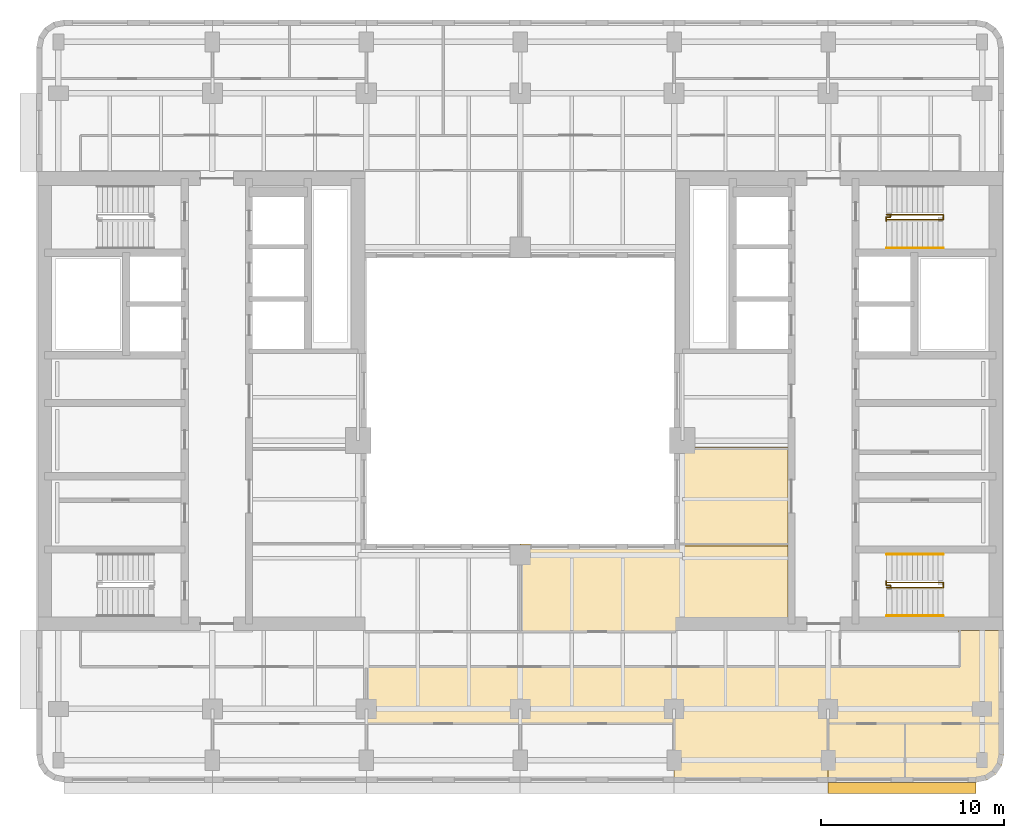
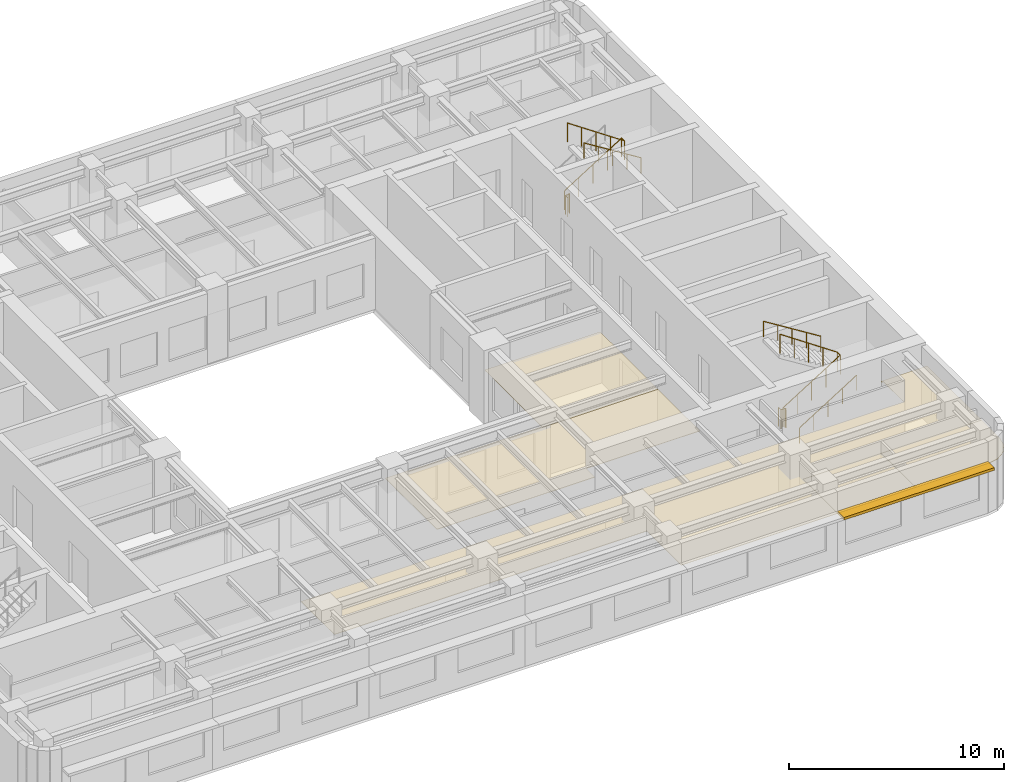
# One storey, part 10 of 11: 7 railings, 5 coverings, 1 shading device.
"""IFC4 building model written with IfcOpenShell, lengths in metres."""

from ifc_helpers import new_model, si_unit, direction, frame, origin, origin_2d, place, context, subcontext, project, spatial, polyline, rectangle, circle, outline, extrude, material, layer, layer_set, type_object, element, save


model = new_model("IFC4")

# Units and contexts
model_context = context("Model", 3, precision=1e-05, world=origin(), true_north=direction((0.0, 1.0)))
body_context = subcontext(model_context, "Body", "Model", "MODEL_VIEW")
ifc_project = project(units=[si_unit("LENGTHUNIT", "METRE"), si_unit("AREAUNIT", "SQUARE_METRE"), si_unit("VOLUMEUNIT", "CUBIC_METRE"), si_unit("PLANEANGLEUNIT", "RADIAN"), si_unit("MASSUNIT", "GRAM", prefix="KILO")], contexts=[model_context])

# Site, building, storey
site_placement = place(None, origin())
site = spatial("IfcSite", under=ifc_project, at=site_placement, CompositionType="ELEMENT")
building_placement = place(site_placement, origin())
building = spatial("IfcBuilding", under=site, at=building_placement, Name="Claustro Exchange Tower", CompositionType="ELEMENT")
storey_placement = place(building_placement, frame((0.0, 0.0, 211.199951171875)))
storey = spatial("IfcBuildingStorey", under=building, at=storey_placement, Name="L48", CompositionType="ELEMENT", Elevation=211.199951171875)

# Coverings
ifc_material_1 = material(Name="Gypsum board ceiling", Category="gypsum board")
ifc_layer_1 = layer(ifc_material_1, 0.02490234375)
ifc_layer_set_1 = layer_set([ifc_layer_1], Name="Gypsum board ceiling")
covering_type = type_object("IfcCoveringType", Name="CL2 plasterboard ceiling", PredefinedType="CEILING", material=ifc_layer_set_1)
covering_1_placement = place(storey_placement, frame((0.0, 0.0, 2.800048828125)))
element("IfcCovering", 1, at=covering_1_placement, inside=storey, type_object=covering_type, Name="Ceiling CL2 L48-04", PredefinedType="CEILING", context=body_context, shape_type="SweptSolid", body=[
    extrude(outline(polyline([(42.0, 4.39990234375), (46.199951171875, 4.39990234375), (46.199951171875, 7.60009765625), (42.0, 7.60009765625), (42.0, 4.39990234375)])), origin(), (0.0, 0.0, 1.0), 0.02490234375),
])
covering_2_placement = place(storey_placement, frame((0.0, 0.0, 2.800048828125)))
element("IfcCovering", 2, at=covering_2_placement, inside=storey, type_object=covering_type, Name="Ceiling CL2 L48-05", PredefinedType="CEILING", context=body_context, shape_type="SweptSolid", body=[
    extrude(outline(polyline([(51.60009765625, 5.89990234375), (51.60009765625, 7.60009765625), (46.199951171875, 7.60009765625), (46.199951171875, 4.39990234375), (50.10009765625, 4.39990234375), (50.674072265625, 4.51416015625), (51.16064453125, 4.83935546875), (51.48583984375, 5.325927734375), (51.60009765625, 5.89990234375)])), origin(), (0.0, 0.0, 1.0), 0.02490234375),
])
covering_3_placement = place(storey_placement, frame((0.0, 0.0, 2.800048828125)))
element("IfcCovering", 3, at=covering_3_placement, inside=storey, type_object=covering_type, Name="Ceiling CL2 L48-07", PredefinedType="CEILING", context=body_context, shape_type="SweptSolid", body=[
    extrude(outline(polyline([(51.60009765625, 7.60009765625), (51.60009765625, 12.695068359375), (51.52490234375, 12.695068359375), (51.52490234375, 12.675048828125), (49.10498046875, 12.675048828125), (49.10498046875, 12.60009765625), (49.199951171875, 12.60009765625), (49.199951171875, 10.699951171875), (16.800048828125, 10.699951171875), (16.800048828125, 7.60009765625), (33.60009765625, 7.60009765625), (33.60009765625, 4.39990234375), (42.0, 4.39990234375), (42.0, 7.60009765625), (51.60009765625, 7.60009765625)])), origin(), (0.0, 0.0, 1.0), 0.02490234375),
])
covering_4_placement = place(storey_placement, frame((0.0, 0.0, 2.800048828125)))
element("IfcCovering", 4, at=covering_4_placement, inside=storey, type_object=covering_type, Name="Ceiling CL2 L48-11", PredefinedType="CEILING", context=body_context, shape_type="SweptSolid", body=[
    extrude(outline(polyline([(39.800048828125, 13.405029296875), (39.800048828125, 17.4951171875), (33.60009765625, 17.4951171875), (33.60009765625, 17.39990234375), (25.199951171875, 17.39990234375), (25.199951171875, 12.60009765625), (33.695068359375, 12.60009765625), (33.695068359375, 13.405029296875), (39.800048828125, 13.405029296875)])), origin(), (0.0, 0.0, 1.0), 0.02490234375),
])
covering_5_placement = place(storey_placement, frame((0.0, 0.0, 2.800048828125)))
element("IfcCovering", 5, at=covering_5_placement, inside=storey, type_object=covering_type, Name="Ceiling CL2 L48-13", PredefinedType="CEILING", context=body_context, shape_type="SweptSolid", body=[
    extrude(outline(polyline([(33.60009765625, 22.695068359375), (33.60009765625, 17.304931640625), (39.800048828125, 17.304931640625), (39.800048828125, 22.695068359375), (33.60009765625, 22.695068359375)])), origin(), (0.0, 0.0, 1.0), 0.02490234375),
])

# Railings
ifc_material_2 = material(Name="Steel balustrade, painted", Category="steel")
railing_type_1 = type_object("IfcRailingType", Name="GR2 1100 steel stair guard", PredefinedType="GUARDRAIL", material=ifc_material_2)
railing_1_placement = place(storey_placement, frame((45.199951171875, 15.02490234375, 0.175048828125)))
element("IfcRailing", 6, at=railing_1_placement, inside=storey, type_object=railing_type_1, Name="Stair well guard GR2 stair STEA L48", PredefinedType="GUARDRAIL", context=body_context, shape_type="SweptSolid", body=[
    extrude(circle(Radius=0.02392578125, at=origin_2d()), frame((0.0, 0.0, 1.076171875), z_axis=(0.847998304005, 0.0, 0.529998940003), x_axis=(0.0, 1.0, 0.0)), (0.0, 0.0, 1.0), 3.632080078125),
    extrude(circle(Radius=0.02392578125, at=origin_2d()), frame((3.080078125, 0.0, 3.0009765625), z_axis=(0.0, 1.0, 0.0), x_axis=(-1.0, 0.0, 0.0)), (0.0, 0.0, 1.0), 0.275146484375),
    extrude(circle(Radius=0.02392578125, at=origin_2d()), frame((3.080078125, 0.275146484375, 3.0009765625), z_axis=(-0.826252282691, 0.0, 0.563300244406), x_axis=(0.0, -1.0, 0.0)), (0.0, 0.0, 1.0), 3.727783203125),
    extrude(circle(Radius=0.02099609375, at=origin_2d()), origin(), (0.0, 0.0, 1.0), 1.052001953125),
    extrude(circle(Radius=0.02099609375, at=origin_2d()), frame((0.77001953125, 0.0, 0.481201171875)), (0.0, 0.0, 1.0), 1.052001953125),
    extrude(circle(Radius=0.02099609375, at=origin_2d()), frame((1.5400390625, 0.0, 0.96240234375)), (0.0, 0.0, 1.0), 1.052001953125),
    extrude(circle(Radius=0.02099609375, at=origin_2d()), frame((2.31005859375, 0.0, 1.44384765625)), (0.0, 0.0, 1.0), 1.052001953125),
    extrude(circle(Radius=0.02099609375, at=origin_2d()), frame((3.080078125, 0.0, 1.925048828125)), (0.0, 0.0, 1.0), 1.052001953125),
    extrude(circle(Radius=0.02099609375, at=origin_2d()), frame((3.080078125, 0.275146484375, 1.925048828125)), (0.0, 0.0, 1.0), 1.052001953125),
    extrude(circle(Radius=0.02099609375, at=origin_2d()), frame((2.31005859375, 0.275146484375, 2.449951171875)), (0.0, 0.0, 1.0), 1.052001953125),
    extrude(circle(Radius=0.02099609375, at=origin_2d()), frame((1.5400390625, 0.275146484375, 2.97509765625)), (0.0, 0.0, 1.0), 1.052001953125),
    extrude(circle(Radius=0.02099609375, at=origin_2d()), frame((0.77001953125, 0.275146484375, 3.5)), (0.0, 0.0, 1.0), 1.052001953125),
    extrude(circle(Radius=0.02099609375, at=origin_2d()), frame((0.0, 0.275146484375, 4.02490234375)), (0.0, 0.0, 1.0), 1.052001953125),
])
railing_2_placement = place(storey_placement, frame((45.39990234375, 15.094970703125, 0.0)))
element("IfcRailing", 7, at=railing_2_placement, inside=storey, type_object=railing_type_1, Name="Stair guard GR2 STEA L48", PredefinedType="GUARDRAIL", context=body_context, shape_type="SweptSolid", body=[
    extrude(circle(Radius=0.02392578125, at=origin_2d()), frame((0.0, 0.0, 1.076171875), z_axis=(0.0, 1.0, 0.0), x_axis=(-1.0, 0.0, 0.0)), (0.0, 0.0, 1.0), 0.067626953125),
    extrude(circle(Radius=0.02392578125, at=origin_2d()), frame((0.0, 0.067626953125, 1.076171875), z_axis=(-1.0, 0.0, 0.0), x_axis=(0.0, -1.0, 0.0)), (0.0, 0.0, 1.0), 0.224853515625),
    extrude(circle(Radius=0.02392578125, at=origin_2d()), frame((-0.224853515625, 0.067626953125, 1.076171875), z_axis=(0.0, 1.0, 0.0), x_axis=(-1.0, 0.0, 0.0)), (0.0, 0.0, 1.0), 0.21728515625),
    extrude(circle(Radius=0.02099609375, at=origin_2d()), origin(), (0.0, 0.0, 1.0), 1.052001953125),
    extrude(circle(Radius=0.02099609375, at=origin_2d()), frame((0.0, 0.067626953125, 0.0)), (0.0, 0.0, 1.0), 1.052001953125),
    extrude(circle(Radius=0.02099609375, at=origin_2d()), frame((-0.224853515625, 0.067626953125, 0.0)), (0.0, 0.0, 1.0), 1.052001953125),
    extrude(circle(Radius=0.02099609375, at=origin_2d()), frame((-0.224853515625, 0.284912109375, 0.0)), (0.0, 0.0, 1.0), 1.052001953125),
])
railing_3_placement = place(storey_placement, frame((45.199951171875, 35.375, 0.175048828125)))
element("IfcRailing", 8, at=railing_3_placement, inside=storey, type_object=railing_type_1, Name="Stair well guard GR2 stair STEB L48", PredefinedType="GUARDRAIL", context=body_context, shape_type="SweptSolid", body=[
    extrude(circle(Radius=0.02392578125, at=origin_2d()), frame((0.0, 0.0, 1.076171875), z_axis=(0.847998304005, 0.0, 0.529998940003), x_axis=(0.0, 1.0, 0.0)), (0.0, 0.0, 1.0), 3.632080078125),
    extrude(circle(Radius=0.02392578125, at=origin_2d()), frame((3.080078125, 0.0, 3.0009765625), z_axis=(0.0, -1.0, 0.0), x_axis=(1.0, 0.0, 0.0)), (0.0, 0.0, 1.0), 0.27490234375),
    extrude(circle(Radius=0.02392578125, at=origin_2d()), frame((3.080078125, -0.27490234375, 3.0009765625), z_axis=(-0.826252282691, 0.0, 0.563300244406), x_axis=(0.0, -1.0, 0.0)), (0.0, 0.0, 1.0), 3.727783203125),
    extrude(circle(Radius=0.02099609375, at=origin_2d()), origin(), (0.0, 0.0, 1.0), 1.052001953125),
    extrude(circle(Radius=0.02099609375, at=origin_2d()), frame((0.77001953125, 0.0, 0.481201171875)), (0.0, 0.0, 1.0), 1.052001953125),
    extrude(circle(Radius=0.02099609375, at=origin_2d()), frame((1.5400390625, 0.0, 0.96240234375)), (0.0, 0.0, 1.0), 1.052001953125),
    extrude(circle(Radius=0.02099609375, at=origin_2d()), frame((2.31005859375, 0.0, 1.44384765625)), (0.0, 0.0, 1.0), 1.052001953125),
    extrude(circle(Radius=0.02099609375, at=origin_2d()), frame((3.080078125, 0.0, 1.925048828125)), (0.0, 0.0, 1.0), 1.052001953125),
    extrude(circle(Radius=0.02099609375, at=origin_2d()), frame((3.080078125, -0.27490234375, 1.925048828125)), (0.0, 0.0, 1.0), 1.052001953125),
    extrude(circle(Radius=0.02099609375, at=origin_2d()), frame((2.31005859375, -0.27490234375, 2.449951171875)), (0.0, 0.0, 1.0), 1.052001953125),
    extrude(circle(Radius=0.02099609375, at=origin_2d()), frame((1.5400390625, -0.27490234375, 2.97509765625)), (0.0, 0.0, 1.0), 1.052001953125),
    extrude(circle(Radius=0.02099609375, at=origin_2d()), frame((0.77001953125, -0.27490234375, 3.5)), (0.0, 0.0, 1.0), 1.052001953125),
    extrude(circle(Radius=0.02099609375, at=origin_2d()), frame((0.0, -0.27490234375, 4.02490234375)), (0.0, 0.0, 1.0), 1.052001953125),
])
railing_4_placement = place(storey_placement, frame((45.39990234375, 35.304931640625, 0.0)))
element("IfcRailing", 9, at=railing_4_placement, inside=storey, type_object=railing_type_1, Name="Stair guard GR2 STEB L48", PredefinedType="GUARDRAIL", context=body_context, shape_type="SweptSolid", body=[
    extrude(circle(Radius=0.02392578125, at=origin_2d()), frame((0.0, 0.0, 1.076171875), z_axis=(0.0, -1.0, 0.0), x_axis=(1.0, 0.0, 0.0)), (0.0, 0.0, 1.0), 0.0673828125),
    extrude(circle(Radius=0.02392578125, at=origin_2d()), frame((0.0, -0.0673828125, 1.076171875), z_axis=(-1.0, 0.0, 0.0), x_axis=(0.0, -1.0, 0.0)), (0.0, 0.0, 1.0), 0.224853515625),
    extrude(circle(Radius=0.02392578125, at=origin_2d()), frame((-0.224853515625, -0.0673828125, 1.076171875), z_axis=(0.0, -1.0, 0.0), x_axis=(1.0, 0.0, 0.0)), (0.0, 0.0, 1.0), 0.217529296875),
    extrude(circle(Radius=0.02099609375, at=origin_2d()), origin(), (0.0, 0.0, 1.0), 1.052001953125),
    extrude(circle(Radius=0.02099609375, at=origin_2d()), frame((0.0, -0.0673828125, 0.0)), (0.0, 0.0, 1.0), 1.052001953125),
    extrude(circle(Radius=0.02099609375, at=origin_2d()), frame((-0.224853515625, -0.0673828125, 0.0)), (0.0, 0.0, 1.0), 1.052001953125),
    extrude(circle(Radius=0.02099609375, at=origin_2d()), frame((-0.224853515625, -0.284912109375, 0.0)), (0.0, 0.0, 1.0), 1.052001953125),
])
ifc_material_3 = material(Name="Stainless steel tube", Category="steel")
railing_type_2 = type_object("IfcRailingType", Name="HR1 900 stair handrail", PredefinedType="HANDRAIL", material=ifc_material_3)
railing_5_placement = place(storey_placement, frame((45.199951171875, 13.485107421875, 0.175048828125)))
element("IfcRailing", 10, at=railing_5_placement, inside=storey, type_object=railing_type_2, Name="Handrail HR1 stair STEA L48", PredefinedType="HANDRAIL", context=body_context, shape_type="SweptSolid", body=[
    extrude(circle(Radius=0.02392578125, at=origin_2d()), frame((0.0, 0.0, 0.8759765625), z_axis=(0.847998304005, 0.0, 0.529998940003), x_axis=(0.0, 1.0, 0.0)), (0.0, 0.0, 1.0), 3.632080078125),
    extrude(circle(Radius=0.02099609375, at=origin_2d()), origin(), (0.0, 0.0, 1.0), 0.851806640625),
    extrude(circle(Radius=0.02099609375, at=origin_2d()), frame((0.77001953125, 0.0, 0.481201171875)), (0.0, 0.0, 1.0), 0.851806640625),
    extrude(circle(Radius=0.02099609375, at=origin_2d()), frame((1.5400390625, 0.0, 0.96240234375)), (0.0, 0.0, 1.0), 0.851806640625),
    extrude(circle(Radius=0.02099609375, at=origin_2d()), frame((2.31005859375, 0.0, 1.44384765625)), (0.0, 0.0, 1.0), 0.851806640625),
    extrude(circle(Radius=0.02099609375, at=origin_2d()), frame((3.080078125, 0.0, 1.925048828125)), (0.0, 0.0, 1.0), 0.851806640625),
])
for number, where, name in (
    (11, (48.280029296875, 16.840087890625, 2.275146484375), "Handrail HR1 stair STEA L48"),
    (12, (48.280029296875, 33.56005859375, 2.275146484375), "Handrail HR1 stair STEB L48"),
):
    element("IfcRailing", number, at=place(storey_placement, frame(where)), inside=storey, type_object=railing_type_2, Name=name, PredefinedType="HANDRAIL", context=body_context, shape_type="SweptSolid", body=[
        extrude(circle(Radius=0.02392578125, at=origin_2d()), frame((0.0, 0.0, 0.8759765625), z_axis=(-0.848028513186, 0.0, 0.529950602248), x_axis=(0.0, -1.0, 0.0)), (0.0, 0.0, 1.0), 3.632080078125),
        extrude(circle(Radius=0.02099609375, at=origin_2d()), origin(), (0.0, 0.0, 1.0), 0.851806640625),
        extrude(circle(Radius=0.02099609375, at=origin_2d()), frame((-0.77001953125, 0.0, 0.481201171875)), (0.0, 0.0, 1.0), 0.851806640625),
        extrude(circle(Radius=0.02099609375, at=origin_2d()), frame((-1.5400390625, 0.0, 0.96240234375)), (0.0, 0.0, 1.0), 0.851806640625),
        extrude(circle(Radius=0.02099609375, at=origin_2d()), frame((-2.31005859375, 0.0, 1.443603515625)), (0.0, 0.0, 1.0), 0.851806640625),
        extrude(circle(Radius=0.02099609375, at=origin_2d()), frame((-3.080078125, 0.0, 1.9248046875)), (0.0, 0.0, 1.0), 0.851806640625),
    ])

# Shading device
ifc_material_4 = material(Name="Concrete HA-40 (C40/50), precast, white cement, acid-etched", Category="concrete")
ifc_layer_2 = layer(ifc_material_4, 0.14990234375)
ifc_layer_set_2 = layer_set([ifc_layer_2], Name="Concrete HA-40 (C40/50), precast, white cement, acid-etched")
shading_device_type = type_object("IfcShadingDeviceType", Name="SS1 600 precast concrete SUNSHADE", PredefinedType="SHUTTER", material=ifc_layer_set_2)
shading_device_placement = place(storey_placement, frame((46.04248046875, 4.10009765625, 2.800048828125), z_axis=(0.0, 0.0, 1.0), x_axis=(-1.0, 0.0, 0.0)))
element("IfcShadingDevice", 13, at=shading_device_placement, inside=storey, type_object=shading_device_type, Name="Precast SUNSHADE SS1 L48", PredefinedType="SHUTTER", context=body_context, shape_type="SweptSolid", body=[
    extrude(rectangle(XDim=8.085205078125, YDim=0.60009765625, at=origin_2d()), origin(), (0.0, 0.0, 1.0), 0.14990234375),
])

save(model, "model.ifc")
